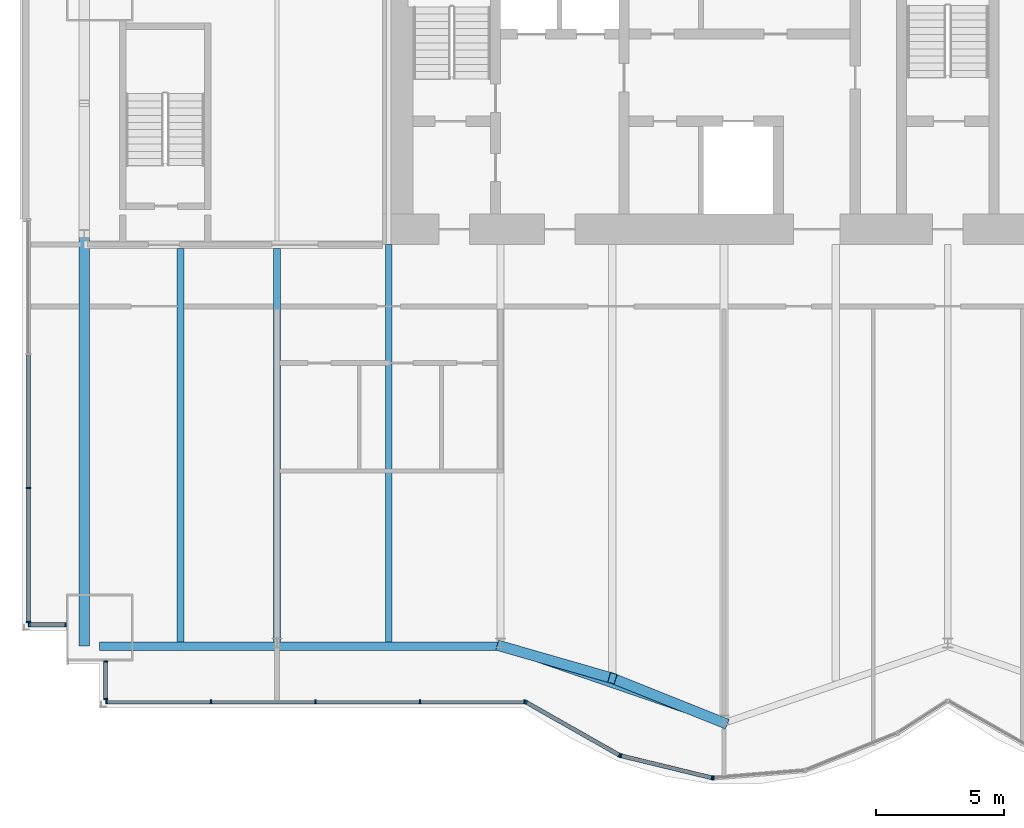
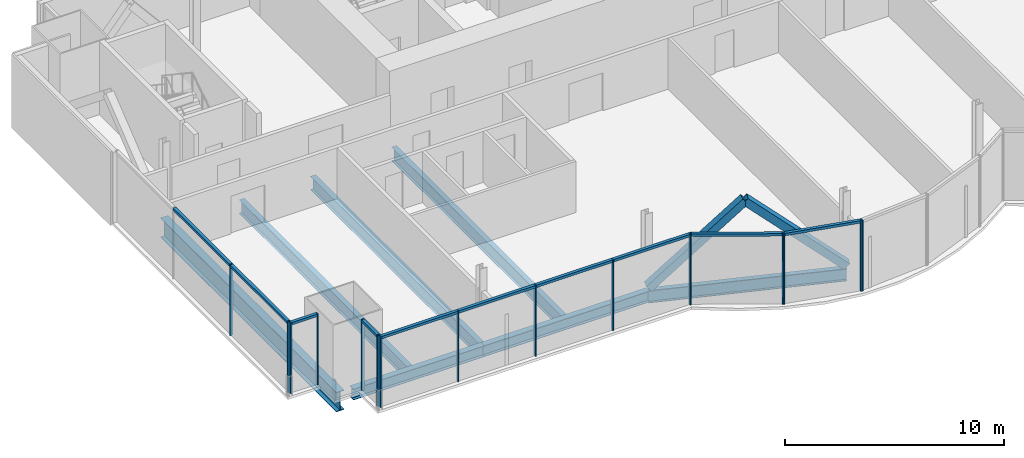
# One storey, part 5 of 20: 28 members, 7 beams, 5 elements without a shape of their own.
"""IFC4 building model written with IfcOpenShell, lengths in metres."""

from ifc_helpers import new_model, si_unit, direction, frame, origin, origin_2d, place, context, subcontext, project, spatial, rectangle, hollow_rectangle, i_section, extrude, material, material_profile, profile_set, type_object, element, aggregate, save


model = new_model("IFC4")

# Units and contexts
model_context = context("Model", 3, precision=1e-05, world=origin(), true_north=direction((0.0, 1.0)))
body_context = subcontext(model_context, "Body", "Model", "MODEL_VIEW")
ifc_project = project(units=[si_unit("LENGTHUNIT", "METRE"), si_unit("AREAUNIT", "SQUARE_METRE"), si_unit("VOLUMEUNIT", "CUBIC_METRE"), si_unit("PLANEANGLEUNIT", "RADIAN"), si_unit("MASSUNIT", "GRAM", prefix="KILO")], contexts=[model_context])

# Site, building, storey
site_placement = place(None, origin())
site = spatial("IfcSite", under=ifc_project, at=site_placement, CompositionType="ELEMENT")
building_placement = place(site_placement, origin())
building = spatial("IfcBuilding", under=site, at=building_placement, Name="Bicima Exchange Tower", CompositionType="ELEMENT")
storey_placement = place(building_placement, frame((0.0, 0.0, 227.800048828125)))
storey = spatial("IfcBuildingStorey", under=building, at=storey_placement, Name="L51", CompositionType="ELEMENT", Elevation=227.800048828125)

# Curtain wall, members
ifc_material_1 = material(Name="Anodised bronze aluminium", Category="aluminium")
curtain_wall_type_1 = type_object("IfcCurtainWallType", Name="End face glass wall", PredefinedType="NOTDEFINED", material=ifc_material_1)
curtain_wall_1_placement = place(storey_placement, origin())
curtain_wall_1 = element("IfcCurtainWall", 1, at=curtain_wall_1_placement, inside=storey, type_object=curtain_wall_type_1, Name="End face glass wall L51 run 2", PredefinedType="NOTDEFINED")
ifc_material_profile_1 = material_profile(ifc_material_1, rectangle(XDim=0.159912109375, YDim=0.06005859375, at=origin_2d()))
ifc_profile_set_1 = profile_set([ifc_material_profile_1], Name="Anodised bronze aluminium")
member_type_1 = type_object("IfcMemberType", Name="End face glass wall mullion 60 x 160", PredefinedType="MULLION", material=ifc_profile_set_1)
member_1_placement = place(storey_placement, frame((-35.77001953125, -22.46337890625, 0.0), z_axis=(0.0, 0.0, 1.0), x_axis=(1.0, 0.0, 0.0)))
member_1 = element("IfcMember", 2, at=member_1_placement, type_object=member_type_1, Name="End face glass wall mullion 3", PredefinedType="MULLION", context=body_context, shape_type="SweptSolid", body=[
    extrude(rectangle(XDim=0.159912109375, YDim=0.06005859375, at=origin_2d()), origin(), (0.0, 0.0, 1.0), 3.949951171875),
])
member_2_placement = place(storey_placement, frame((-35.77001953125, -27.679931640625, 0.0), z_axis=(0.0, 0.0, 1.0), x_axis=(1.0, 0.0, 0.0)))
member_2 = element("IfcMember", 3, at=member_2_placement, type_object=member_type_1, Name="End face glass wall mullion 4", PredefinedType="MULLION", context=body_context, shape_type="SweptSolid", body=[
    extrude(rectangle(XDim=0.159912109375, YDim=0.06005859375, at=origin_2d()), origin(), (0.0, 0.0, 1.0), 3.949951171875),
])
ifc_material_profile_2 = material_profile(ifc_material_1, rectangle(XDim=0.159912109375, YDim=0.139892578125, at=origin_2d()))
ifc_profile_set_2 = profile_set([ifc_material_profile_2], Name="Anodised bronze aluminium")
member_type_2 = type_object("IfcMemberType", Name="End face glass wall transom 140 x 160", PredefinedType="USERDEFINED", material=ifc_profile_set_2)
member_3_placement = place(storey_placement, frame((-35.77001953125, -17.276611328125, 3.8798828125), z_axis=(0.0, -1.0, 0.0), x_axis=(1.0, 0.0, 0.0)))
member_3 = element("IfcMember", 4, at=member_3_placement, type_object=member_type_2, Name="End face glass wall transom 2.1", ObjectType="TRANSOM", PredefinedType="USERDEFINED", context=body_context, shape_type="SweptSolid", body=[
    extrude(rectangle(XDim=0.159912109375, YDim=0.139892578125, at=origin_2d()), origin(), (0.0, 0.0, 1.0), 5.15673828125),
])
member_4_placement = place(storey_placement, frame((-35.77001953125, -22.493408203125, 3.8798828125), z_axis=(0.0, -1.0, 0.0), x_axis=(1.0, 0.0, 0.0)))
member_4 = element("IfcMember", 5, at=member_4_placement, type_object=member_type_2, Name="End face glass wall transom 3.1", ObjectType="TRANSOM", PredefinedType="USERDEFINED", context=body_context, shape_type="SweptSolid", body=[
    extrude(rectangle(XDim=0.159912109375, YDim=0.139892578125, at=origin_2d()), origin(), (0.0, 0.0, 1.0), 5.156494140625),
])
aggregate(curtain_wall_1, [member_1, member_2, member_3, member_4])

# Beams
ifc_material_2 = material(Name="Steel ASTM A992 Gr 50", Category="steel")
ifc_material_profile_3 = material_profile(ifc_material_2, i_section(OverallWidth=0.4013671875, OverallDepth=1.089599609375, WebThickness=0.01806640625, FlangeThickness=0.031005859375, at=origin_2d()))
ifc_profile_set_3 = profile_set([ifc_material_profile_3], Name="Steel ASTM A992 Gr 50")
beam_type_1 = type_object("IfcBeamType", Name="End girder W44x230", PredefinedType="BEAM", material=ifc_profile_set_3)
beam_1_placement = place(storey_placement, frame((-33.60009765625, -12.60009765625, -0.69482421875), z_axis=(0.0, -1.0, 0.0), x_axis=(1.0, 0.0, 0.0)))
element("IfcBeam", 6, at=beam_1_placement, inside=storey, type_object=beam_type_1, Name="End girder", PredefinedType="BEAM", context=body_context, shape_type="SweptSolid", body=[
    extrude(i_section(OverallWidth=0.4013671875, OverallDepth=1.089599609375, WebThickness=0.01806640625, FlangeThickness=0.031005859375, at=origin_2d()), origin(), (0.0, 0.0, 1.0), 16.02001953125),
])
ifc_material_profile_4 = material_profile(ifc_material_2, i_section(OverallWidth=0.2666015625, OverallDepth=0.75439453125, WebThickness=0.01318359375, FlangeThickness=0.01708984375, at=origin_2d()))
ifc_profile_set_4 = profile_set([ifc_material_profile_4], Name="Steel ASTM A992 Gr 50")
beam_type_2 = type_object("IfcBeamType", Name="Floor beam W30x99", PredefinedType="JOIST", material=ifc_profile_set_4)
for number, where, z_axis, x_axis, name in (
    (7, (-29.85009765625, -13.15234375, -0.52734375), (0.0, -1.0, 0.0), (1.0, 0.0, 0.0), "Floor beam"),
    (8, (-26.10009765625, -13.15234375, -0.52734375), (0.0, -1.0, 0.0), (1.0, 0.0, 0.0), "Floor beam"),
):
    element("IfcBeam", number, at=place(storey_placement, frame(where, z_axis=z_axis, x_axis=x_axis)), inside=storey, type_object=beam_type_2, Name=name, PredefinedType="JOIST", context=body_context, shape_type="SweptSolid", body=[
        extrude(i_section(OverallWidth=0.2666015625, OverallDepth=0.75439453125, WebThickness=0.01318359375, FlangeThickness=0.01708984375, at=origin_2d()), origin(), (0.0, 0.0, 1.0), 15.30517578125),
    ])
beam_2_placement = place(storey_placement, frame((-21.75, -13.0, -0.52734375), z_axis=(0.0, -1.0, 0.0), x_axis=(1.0, 0.0, 0.0)))
element("IfcBeam", 9, at=beam_2_placement, inside=storey, type_object=beam_type_2, Name="Floor beam", PredefinedType="JOIST", context=body_context, shape_type="SweptSolid", body=[
    extrude(i_section(OverallWidth=0.2666015625, OverallDepth=0.75439453125, WebThickness=0.01318359375, FlangeThickness=0.01708984375, at=origin_2d()), origin(), (0.0, 0.0, 1.0), 15.45751953125),
])
ifc_material_profile_5 = material_profile(ifc_material_2, i_section(OverallWidth=0.3251953125, OverallDepth=0.612060546875, WebThickness=0.0126953125, FlangeThickness=0.01904296875, at=origin_2d()))
ifc_profile_set_5 = profile_set([ifc_material_profile_5], Name="Steel ASTM A992 Gr 50")
beam_type_3 = type_object("IfcBeamType", Name="Front girder W24x104", PredefinedType="BEAM", material=ifc_profile_set_5)
beam_3_placement = place(storey_placement, frame((-33.0, -28.6201171875, -0.4560546875), z_axis=(1.0, 0.0, 0.0), x_axis=(0.0, 1.0, 0.0)))
element("IfcBeam", 10, at=beam_3_placement, inside=storey, type_object=beam_type_3, Name="Front girder", PredefinedType="BEAM", context=body_context, shape_type="SweptSolid", body=[
    extrude(i_section(OverallWidth=0.3251953125, OverallDepth=0.612060546875, WebThickness=0.0126953125, FlangeThickness=0.01904296875, at=origin_2d()), origin(), (0.0, 0.0, 1.0), 6.89990234375),
])
beam_4_placement = place(storey_placement, frame((-26.10009765625, -28.6201171875, -0.4560546875), z_axis=(1.0, 0.0, 0.0), x_axis=(0.0, 1.0, 0.0)))
element("IfcBeam", 11, at=beam_4_placement, inside=storey, type_object=beam_type_3, Name="Front girder", PredefinedType="BEAM", context=body_context, shape_type="SweptSolid", body=[
    extrude(i_section(OverallWidth=0.3251953125, OverallDepth=0.612060546875, WebThickness=0.0126953125, FlangeThickness=0.01904296875, at=origin_2d()), origin(), (0.0, 0.0, 1.0), 8.7001953125),
])
ifc_material_profile_6 = material_profile(ifc_material_2, i_section(OverallWidth=0.256591796875, OverallDepth=0.693359375, WebThickness=0.014404296875, FlangeThickness=0.023681640625, at=origin_2d()))
ifc_profile_set_6 = profile_set([ifc_material_profile_6], Name="Steel ASTM A992 Gr 50")
beam_type_4 = type_object("IfcBeamType", Name="Front girder W27x114", PredefinedType="BEAM", material=ifc_profile_set_6)
beam_5_placement = place(storey_placement, frame((-17.39990234375, -28.6201171875, -0.496826171875), z_axis=(0.945674616091, -0.32511462668, 0.0), x_axis=(0.32511462668, 0.945674616091, 0.0)))
element("IfcBeam", 12, at=beam_5_placement, inside=storey, type_object=beam_type_4, Name="Front girder", PredefinedType="BEAM", context=body_context, shape_type="SweptSolid", body=[
    extrude(i_section(OverallWidth=0.256591796875, OverallDepth=0.693359375, WebThickness=0.014404296875, FlangeThickness=0.023681640625, at=origin_2d()), origin(), (0.0, 0.0, 1.0), 9.19970703125),
])

# Curtain wall, members
curtain_wall_type_2 = type_object("IfcCurtainWallType", Name="Front glass wall", PredefinedType="NOTDEFINED", material=ifc_material_1)
curtain_wall_2_placement = place(storey_placement, origin())
curtain_wall_2 = element("IfcCurtainWall", 13, at=curtain_wall_2_placement, inside=storey, type_object=curtain_wall_type_2, Name="Front glass wall L51 run 3", PredefinedType="NOTDEFINED")
member_type_3 = type_object("IfcMemberType", Name="Front glass wall mullion 60 x 160", PredefinedType="MULLION", material=ifc_profile_set_1)
member_5_placement = place(storey_placement, frame((-35.739990234375, -27.7900390625, 0.0), z_axis=(0.0, 0.0, 1.0), x_axis=(0.0, 1.0, 0.0)))
member_5 = element("IfcMember", 14, at=member_5_placement, type_object=member_type_3, Name="Front glass wall mullion 1", PredefinedType="MULLION", context=body_context, shape_type="SweptSolid", body=[
    extrude(rectangle(XDim=0.159912109375, YDim=0.06005859375, at=origin_2d()), origin(), (0.0, 0.0, 1.0), 3.949951171875),
])
member_6_placement = place(storey_placement, frame((-34.330078125, -27.7900390625, 0.0), z_axis=(0.0, 0.0, 1.0), x_axis=(0.0, 1.0, 0.0)))
member_6 = element("IfcMember", 15, at=member_6_placement, type_object=member_type_3, Name="Front glass wall mullion 2", PredefinedType="MULLION", context=body_context, shape_type="SweptSolid", body=[
    extrude(rectangle(XDim=0.159912109375, YDim=0.06005859375, at=origin_2d()), origin(), (0.0, 0.0, 1.0), 3.949951171875),
])

curtain_wall_3_placement = place(storey_placement, origin())
curtain_wall_3 = element("IfcCurtainWall", 16, at=curtain_wall_3_placement, inside=storey, type_object=curtain_wall_type_2, Name="Front glass wall L51 run 4", PredefinedType="NOTDEFINED")
member_7_placement = place(storey_placement, frame((-32.77001953125, -29.22802734375, 0.0), z_axis=(0.0, 0.0, 1.0), x_axis=(1.0, 0.0, 0.0)))
member_7 = element("IfcMember", 17, at=member_7_placement, type_object=member_type_3, Name="Front glass wall mullion 1", PredefinedType="MULLION", context=body_context, shape_type="SweptSolid", body=[
    extrude(rectangle(XDim=0.159912109375, YDim=0.06005859375, at=origin_2d()), origin(), (0.0, 0.0, 1.0), 3.949951171875),
])
member_8_placement = place(storey_placement, frame((-32.77001953125, -30.679931640625, 0.0), z_axis=(0.0, 0.0, 1.0), x_axis=(1.0, 0.0, 0.0)))
member_8 = element("IfcMember", 18, at=member_8_placement, type_object=member_type_3, Name="Front glass wall mullion 2", PredefinedType="MULLION", context=body_context, shape_type="SweptSolid", body=[
    extrude(rectangle(XDim=0.159912109375, YDim=0.06005859375, at=origin_2d()), origin(), (0.0, 0.0, 1.0), 3.949951171875),
])

curtain_wall_4_placement = place(storey_placement, origin())
curtain_wall_4 = element("IfcCurtainWall", 19, at=curtain_wall_4_placement, inside=storey, type_object=curtain_wall_type_2, Name="Front glass wall L51 run 5", PredefinedType="NOTDEFINED")
member_9_placement = place(storey_placement, frame((-32.739990234375, -30.7900390625, 0.0), z_axis=(0.0, 0.0, 1.0), x_axis=(0.0, 1.0, 0.0)))
member_9 = element("IfcMember", 20, at=member_9_placement, type_object=member_type_3, Name="Front glass wall mullion 1", PredefinedType="MULLION", context=body_context, shape_type="SweptSolid", body=[
    extrude(rectangle(XDim=0.159912109375, YDim=0.06005859375, at=origin_2d()), origin(), (0.0, 0.0, 1.0), 3.949951171875),
])
member_10_placement = place(storey_placement, frame((-28.67041015625, -30.7900390625, 0.0), z_axis=(0.0, 0.0, 1.0), x_axis=(0.0, 1.0, 0.0)))
member_10 = element("IfcMember", 21, at=member_10_placement, type_object=member_type_3, Name="Front glass wall mullion 2", PredefinedType="MULLION", context=body_context, shape_type="SweptSolid", body=[
    extrude(rectangle(XDim=0.159912109375, YDim=0.06005859375, at=origin_2d()), origin(), (0.0, 0.0, 1.0), 3.949951171875),
])
member_11_placement = place(storey_placement, frame((-24.60107421875, -30.7900390625, 0.0), z_axis=(0.0, 0.0, 1.0), x_axis=(0.0, 1.0, 0.0)))
member_11 = element("IfcMember", 22, at=member_11_placement, type_object=member_type_3, Name="Front glass wall mullion 3", PredefinedType="MULLION", context=body_context, shape_type="SweptSolid", body=[
    extrude(rectangle(XDim=0.159912109375, YDim=0.06005859375, at=origin_2d()), origin(), (0.0, 0.0, 1.0), 3.949951171875),
])
member_12_placement = place(storey_placement, frame((-20.531494140625, -30.7900390625, 0.0), z_axis=(0.0, 0.0, 1.0), x_axis=(0.0, 1.0, 0.0)))
member_12 = element("IfcMember", 23, at=member_12_placement, type_object=member_type_3, Name="Front glass wall mullion 4", PredefinedType="MULLION", context=body_context, shape_type="SweptSolid", body=[
    extrude(rectangle(XDim=0.159912109375, YDim=0.06005859375, at=origin_2d()), origin(), (0.0, 0.0, 1.0), 3.949951171875),
])
member_13_placement = place(storey_placement, frame((-16.462158203125, -30.7900390625, 0.0), z_axis=(0.0, 0.0, 1.0), x_axis=(0.0, 1.0, 0.0)))
member_13 = element("IfcMember", 24, at=member_13_placement, type_object=member_type_3, Name="Front glass wall mullion 5", PredefinedType="MULLION", context=body_context, shape_type="SweptSolid", body=[
    extrude(rectangle(XDim=0.159912109375, YDim=0.06005859375, at=origin_2d()), origin(), (0.0, 0.0, 1.0), 3.949951171875),
])

curtain_wall_5_placement = place(storey_placement, origin())
curtain_wall_5 = element("IfcCurtainWall", 25, at=curtain_wall_5_placement, inside=storey, type_object=curtain_wall_type_2, Name="Front glass wall L51 run 6", PredefinedType="NOTDEFINED")
member_14_placement = place(storey_placement, frame((-16.406005859375, -30.8046875, 0.0), z_axis=(0.0, 0.0, 1.0), x_axis=(0.493395449343, 0.869805110681, 0.0)))
member_14 = element("IfcMember", 26, at=member_14_placement, type_object=member_type_3, Name="Front glass wall mullion 1", PredefinedType="MULLION", context=body_context, shape_type="SweptSolid", body=[
    extrude(rectangle(XDim=0.159912109375, YDim=0.06005859375, at=origin_2d()), origin(), (0.0, 0.0, 1.0), 3.949951171875),
])
member_15_placement = place(storey_placement, frame((-12.7734375, -32.865478515625, 0.0), z_axis=(0.0, 0.0, 1.0), x_axis=(0.493395449343, 0.869805110681, 0.0)))
member_15 = element("IfcMember", 27, at=member_15_placement, type_object=member_type_3, Name="Front glass wall mullion 2", PredefinedType="MULLION", context=body_context, shape_type="SweptSolid", body=[
    extrude(rectangle(XDim=0.159912109375, YDim=0.06005859375, at=origin_2d()), origin(), (0.0, 0.0, 1.0), 3.949951171875),
])
member_16_placement = place(storey_placement, frame((-12.718017578125, -32.88720703125, 0.0), z_axis=(0.0, 0.0, 1.0), x_axis=(0.235681529503, 0.971830343553, 0.0)))
member_16 = element("IfcMember", 28, at=member_16_placement, type_object=member_type_3, Name="Front glass wall mullion 1", PredefinedType="MULLION", context=body_context, shape_type="SweptSolid", body=[
    extrude(rectangle(XDim=0.159912109375, YDim=0.06005859375, at=origin_2d()), origin(), (0.0, 0.0, 1.0), 3.949951171875),
])
member_17_placement = place(storey_placement, frame((-9.177490234375, -33.745849609375, 0.0), z_axis=(0.0, 0.0, 1.0), x_axis=(0.235681529503, 0.971830343553, 0.0)))
member_17 = element("IfcMember", 29, at=member_17_placement, type_object=member_type_3, Name="Front glass wall mullion 2", PredefinedType="MULLION", context=body_context, shape_type="SweptSolid", body=[
    extrude(rectangle(XDim=0.159912109375, YDim=0.06005859375, at=origin_2d()), origin(), (0.0, 0.0, 1.0), 3.949951171875),
])
member_18_placement = place(storey_placement, frame((-9.118408203125, -33.75048828125, 0.0), z_axis=(0.0, 0.0, 1.0), x_axis=(-0.080588612633, 0.99674744821, 0.0)))
member_18 = element("IfcMember", 30, at=member_18_placement, type_object=member_type_3, Name="Front glass wall mullion 1", PredefinedType="MULLION", context=body_context, shape_type="SweptSolid", body=[
    extrude(rectangle(XDim=0.159912109375, YDim=0.06005859375, at=origin_2d()), origin(), (0.0, 0.0, 1.0), 3.949951171875),
])

# Member
member_type_4 = type_object("IfcMemberType", Name="Front glass wall transom 140 x 160", PredefinedType="USERDEFINED", material=ifc_profile_set_2)
member_19_placement = place(storey_placement, frame((-35.7099609375, -27.7900390625, 3.8798828125), z_axis=(1.0, 0.0, 0.0), x_axis=(0.0, 1.0, 0.0)))
member_19 = element("IfcMember", 31, at=member_19_placement, type_object=member_type_4, Name="Front glass wall transom 1.1", ObjectType="TRANSOM", PredefinedType="USERDEFINED", context=body_context, shape_type="SweptSolid", body=[
    extrude(rectangle(XDim=0.159912109375, YDim=0.139892578125, at=origin_2d()), origin(), (0.0, 0.0, 1.0), 1.349853515625),
])

aggregate(curtain_wall_2, [member_5, member_6, member_19])

member_20_placement = place(storey_placement, frame((-32.77001953125, -29.258056640625, 3.8798828125), z_axis=(0.0, -1.0, 0.0), x_axis=(1.0, 0.0, 0.0)))
member_20 = element("IfcMember", 32, at=member_20_placement, type_object=member_type_4, Name="Front glass wall transom 1.1", ObjectType="TRANSOM", PredefinedType="USERDEFINED", context=body_context, shape_type="SweptSolid", body=[
    extrude(rectangle(XDim=0.159912109375, YDim=0.139892578125, at=origin_2d()), origin(), (0.0, 0.0, 1.0), 1.391845703125),
])

aggregate(curtain_wall_3, [member_7, member_8, member_20])

member_21_placement = place(storey_placement, frame((-32.7099609375, -30.7900390625, 3.8798828125), z_axis=(1.0, 0.0, 0.0), x_axis=(0.0, 1.0, 0.0)))
member_21 = element("IfcMember", 33, at=member_21_placement, type_object=member_type_4, Name="Front glass wall transom 1.1", ObjectType="TRANSOM", PredefinedType="USERDEFINED", context=body_context, shape_type="SweptSolid", body=[
    extrude(rectangle(XDim=0.159912109375, YDim=0.139892578125, at=origin_2d()), origin(), (0.0, 0.0, 1.0), 4.009521484375),
])

member_22_placement = place(storey_placement, frame((-28.640380859375, -30.7900390625, 3.8798828125), z_axis=(1.0, 0.0, 0.0), x_axis=(0.0, 1.0, 0.0)))
member_22 = element("IfcMember", 34, at=member_22_placement, type_object=member_type_4, Name="Front glass wall transom 2.1", ObjectType="TRANSOM", PredefinedType="USERDEFINED", context=body_context, shape_type="SweptSolid", body=[
    extrude(rectangle(XDim=0.159912109375, YDim=0.139892578125, at=origin_2d()), origin(), (0.0, 0.0, 1.0), 4.00927734375),
])

member_23_placement = place(storey_placement, frame((-24.571044921875, -30.7900390625, 3.8798828125), z_axis=(1.0, 0.0, 0.0), x_axis=(0.0, 1.0, 0.0)))
member_23 = element("IfcMember", 35, at=member_23_placement, type_object=member_type_4, Name="Front glass wall transom 3.1", ObjectType="TRANSOM", PredefinedType="USERDEFINED", context=body_context, shape_type="SweptSolid", body=[
    extrude(rectangle(XDim=0.159912109375, YDim=0.139892578125, at=origin_2d()), origin(), (0.0, 0.0, 1.0), 4.009521484375),
])

member_24_placement = place(storey_placement, frame((-20.501708984375, -30.7900390625, 3.8798828125), z_axis=(1.0, 0.0, 0.0), x_axis=(0.0, 1.0, 0.0)))
member_24 = element("IfcMember", 36, at=member_24_placement, type_object=member_type_4, Name="Front glass wall transom 4.1", ObjectType="TRANSOM", PredefinedType="USERDEFINED", context=body_context, shape_type="SweptSolid", body=[
    extrude(rectangle(XDim=0.159912109375, YDim=0.139892578125, at=origin_2d()), origin(), (0.0, 0.0, 1.0), 4.009521484375),
])

aggregate(curtain_wall_4, [member_9, member_10, member_11, member_12, member_13, member_21, member_22, member_23, member_24])

member_25_placement = place(storey_placement, frame((-16.3798828125, -30.819580078125, 3.8798828125), z_axis=(0.869797371721, -0.49340909208, 0.0), x_axis=(0.49340909208, 0.869797371721, 0.0)))
member_25 = element("IfcMember", 37, at=member_25_placement, type_object=member_type_4, Name="Front glass wall transom 1.1", ObjectType="TRANSOM", PredefinedType="USERDEFINED", context=body_context, shape_type="SweptSolid", body=[
    extrude(rectangle(XDim=0.159912109375, YDim=0.139892578125, at=origin_2d()), origin(), (0.0, 0.0, 1.0), 4.1162109375),
])

member_26_placement = place(storey_placement, frame((-12.68896484375, -32.894287109375, 3.8798828125), z_axis=(0.971817951661, -0.235732621477, 0.0), x_axis=(0.235732621477, 0.971817951661, 0.0)))
member_26 = element("IfcMember", 38, at=member_26_placement, type_object=member_type_4, Name="Front glass wall transom 1.1", ObjectType="TRANSOM", PredefinedType="USERDEFINED", context=body_context, shape_type="SweptSolid", body=[
    extrude(rectangle(XDim=0.159912109375, YDim=0.139892578125, at=origin_2d()), origin(), (0.0, 0.0, 1.0), 3.58349609375),
])

aggregate(curtain_wall_5, [member_14, member_15, member_25, member_16, member_17, member_26, member_18])

# Members
ifc_material_3 = material(Name="Steel ASTM A572 Gr 50", Category="steel")
ifc_material_profile_7 = material_profile(ifc_material_3, hollow_rectangle(XDim=0.406494140625, YDim=0.406494140625, WallThickness=0.0146484375, at=origin_2d()))
ifc_profile_set_7 = profile_set([ifc_material_profile_7], Name="Steel ASTM A572 Gr 50")
member_type_5 = type_object("IfcMemberType", Name="Mega brace HSS16x16x5/8", PredefinedType="BRACE", material=ifc_profile_set_7)
member_27_placement = place(storey_placement, frame((-17.39990234375, -28.6201171875, 0.0), z_axis=(0.71226631392, -0.204920981375, 0.671330089783), x_axis=(0.27648739579, 0.961017544049, 0.0)))
element("IfcMember", 39, at=member_27_placement, inside=storey, type_object=member_type_5, Name="Mega brace front", PredefinedType="BRACE", context=body_context, shape_type="SweptSolid", body=[
    extrude(hollow_rectangle(XDim=0.406494140625, YDim=0.406494140625, WallThickness=0.0146484375, at=origin_2d()), origin(), (0.0, 0.0, 1.0), 6.107177734375),
])
member_28_placement = place(storey_placement, frame((-8.699951171875, -31.611083984375, 0.0), z_axis=(-0.698744239452, 0.279411421377, 0.658548210412), x_axis=(-0.371291842786, -0.928516218211, 0.0)))
element("IfcMember", 40, at=member_28_placement, inside=storey, type_object=member_type_5, Name="Mega brace front", PredefinedType="BRACE", context=body_context, shape_type="SweptSolid", body=[
    extrude(hollow_rectangle(XDim=0.406494140625, YDim=0.406494140625, WallThickness=0.0146484375, at=origin_2d()), origin(), (0.0, 0.0, 1.0), 6.2255859375),
])

save(model, "model.ifc")
